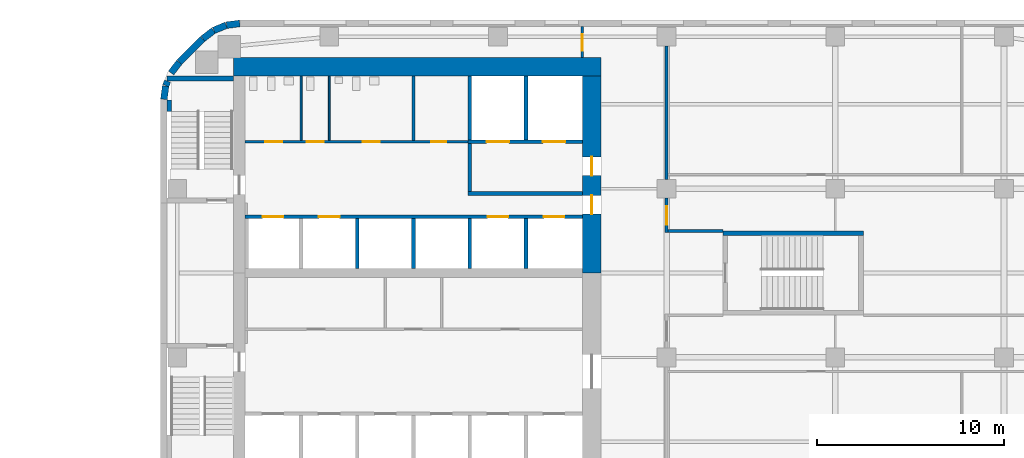
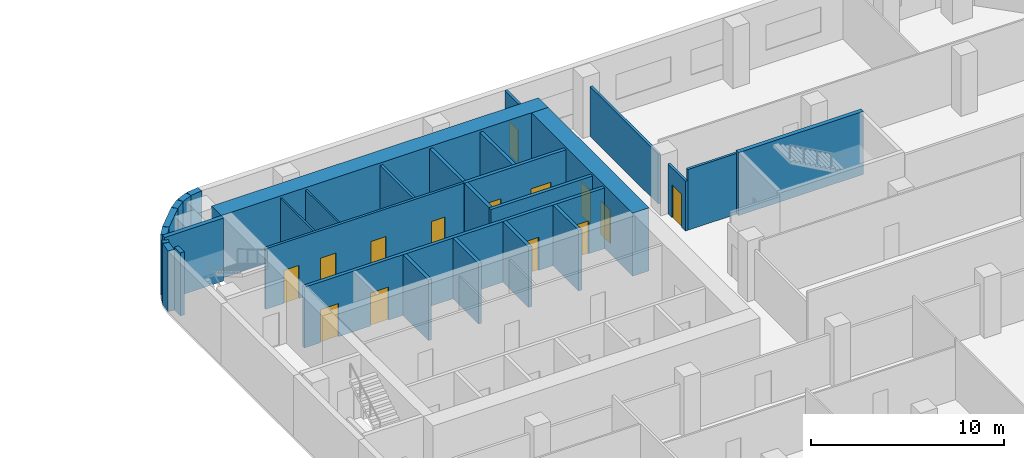
# One storey, part 11 of 16: 30 walls, 14 doors, 14 openings.
"""IFC4 building model written with IfcOpenShell, lengths in metres."""

from ifc_helpers import new_model, si_unit, direction, frame, frame_2d, origin, place, context, subcontext, project, spatial, rectangle, extrude, material, layer, layer_set, type_object, element, fill, save


model = new_model("IFC4")

# Units and contexts
model_context = context("Model", 3, precision=1e-05, world=origin(), true_north=direction((0.0, 1.0)))
body_context = subcontext(model_context, "Body", "Model", "MODEL_VIEW")
ifc_project = project(units=[si_unit("LENGTHUNIT", "METRE"), si_unit("AREAUNIT", "SQUARE_METRE"), si_unit("VOLUMEUNIT", "CUBIC_METRE"), si_unit("PLANEANGLEUNIT", "RADIAN"), si_unit("MASSUNIT", "GRAM", prefix="KILO")], contexts=[model_context])

# Site, building, storey
site_placement = place(None, origin())
site = spatial("IfcSite", under=ifc_project, at=site_placement, CompositionType="ELEMENT")
building_placement = place(site_placement, origin())
building = spatial("IfcBuilding", under=site, at=building_placement, Name="Cinnabar Reach Civic Tower", CompositionType="ELEMENT")
storey_placement = place(building_placement, frame((0.0, 0.0, 30.0)))
storey = spatial("IfcBuildingStorey", under=building, at=storey_placement, Name="L06", CompositionType="ELEMENT", Elevation=30.0)

# Walls
ifc_material_1 = material(Name="Facing brick with insulated backing", Category="masonry")
ifc_layer_1 = layer(ifc_material_1, 0.36)
ifc_layer_set_1 = layer_set([ifc_layer_1], Name="Brick corner wall")
wall_type_1 = type_object("IfcWallType", Name="Brick corner wall", PredefinedType="STANDARD", material=ifc_layer_set_1)
for number, where, z_axis, x_axis, name in (
    (1, (4.2314, 44.817, 0.0), (0.0, 0.0, 1.0), (-0.99144092581, -0.13055608231, 0.0), "Brick corner wall"),
    (2, (3.5027, 44.7181, 0.0), (0.0, 0.0, 1.0), (-0.923871547278, -0.382702709855, 0.0), "Brick corner wall"),
):
    element("IfcWall", number, at=place(storey_placement, frame(where, z_axis=z_axis, x_axis=x_axis)), inside=storey, type_object=wall_type_1, Name=name, PredefinedType="STANDARD", context=body_context, shape_type="SweptSolid", body=[
        extrude(rectangle(XDim=0.7131, YDim=0.36, at=frame_2d((0.3565, 0.0))), origin(), (0.0, 0.0, 1.0), 3.85),
    ])
for number, where, z_axis, x_axis, name in (
    (3, (2.8245, 44.434, 0.0), (0.0, 0.0, 1.0), (-0.793321924995, -0.608802368033, 0.0), "Brick corner wall"),
    (4, (1.0002, 42.7413, 0.0), (0.0, 0.0, 1.0), (-0.608802368033, -0.793321924995, 0.0), "Brick corner wall"),
):
    element("IfcWall", number, at=place(storey_placement, frame(where, z_axis=z_axis, x_axis=x_axis)), inside=storey, type_object=wall_type_1, Name=name, PredefinedType="STANDARD", context=body_context, shape_type="SweptSolid", body=[
        extrude(rectangle(XDim=0.7132, YDim=0.36, at=frame_2d((0.3566, 0.0))), origin(), (0.0, 0.0, 1.0), 3.85),
    ])
wall_1_placement = place(storey_placement, frame((0.3808, 41.736, 0.0), z_axis=(0.0, 0.0, 1.0), x_axis=(-0.382773360986, -0.923842277729, 0.0)))
element("IfcWall", 5, at=wall_1_placement, inside=storey, type_object=wall_type_1, Name="Brick corner wall", PredefinedType="STANDARD", context=body_context, shape_type="SweptSolid", body=[
    extrude(rectangle(XDim=0.2584, YDim=0.36, at=frame_2d((0.1292, 0.0))), origin(), (0.0, 0.0, 1.0), 3.85),
])
wall_2_placement = place(storey_placement, frame((0.2761, 41.4756, 0.0), z_axis=(0.0, 0.0, 1.0), x_axis=(-0.13055608231, -0.99144092581, 0.0)))
element("IfcWall", 6, at=wall_2_placement, inside=storey, type_object=wall_type_1, Name="Brick corner wall", PredefinedType="STANDARD", context=body_context, shape_type="SweptSolid", body=[
    extrude(rectangle(XDim=0.7131, YDim=0.36, at=frame_2d((0.3565, 0.0))), origin(), (0.0, 0.0, 1.0), 3.85),
])
ifc_layer_2 = layer(ifc_material_1, 0.36)
ifc_layer_set_2 = layer_set([ifc_layer_2], Name="Brick pier and spandrel wall")
wall_type_2 = type_object("IfcWallType", Name="Brick pier and spandrel wall", PredefinedType="STANDARD", material=ifc_layer_set_2)
wall_3_placement = place(storey_placement, frame((2.2486, 43.994, 0.0), z_axis=(0.0, 0.0, 1.0), x_axis=(-0.707106781187, -0.707106781187, 0.0)))
element("IfcWall", 7, at=wall_3_placement, inside=storey, type_object=wall_type_2, Name="Brick facade wall", PredefinedType="STANDARD", context=body_context, shape_type="SweptSolid", body=[
    extrude(rectangle(XDim=1.7573, YDim=0.36, at=frame_2d((0.8787, 0.0))), origin(), (0.0, 0.0, 1.0), 3.85),
])
ifc_material_2 = material(Name="Concrete C70", Category="concrete")
ifc_layer_3 = layer(ifc_material_2, 1.0)
ifc_layer_set_3 = layer_set([ifc_layer_3], Name="Core wall 1000 EI 180")
wall_type_3 = type_object("IfcWallType", Name="Core wall 1000 EI 180", PredefinedType="SOLIDWALL", material=ifc_layer_set_3)
wall_4_placement = place(storey_placement, frame((23.5, 42.5, 0.0), z_axis=(0.0, 0.0, 1.0), x_axis=(-1.0, 0.0, 0.0)))
element("IfcWall", 8, at=wall_4_placement, inside=storey, type_object=wall_type_3, Name="Core wall T1 L06 N", PredefinedType="SOLIDWALL", context=body_context, shape_type="SweptSolid", body=[
    extrude(rectangle(XDim=19.6, YDim=1.0, at=frame_2d((9.8, 0.0))), origin(), (0.0, 0.0, 1.0), 4.0),
])

# Wall, openings, doors
wall_5_placement = place(storey_placement, frame((23.0, 31.5, 0.0), z_axis=(0.0, 0.0, 1.0), x_axis=(0.0, 1.0, 0.0)))
wall_5 = element("IfcWall", 9, at=wall_5_placement, inside=storey, type_object=wall_type_3, Name="Core wall T1 L06 E2", PredefinedType="SOLIDWALL", context=body_context, shape_type="SweptSolid", body=[
    extrude(rectangle(XDim=10.5, YDim=1.0, at=frame_2d((5.25, 0.0))), origin(), (0.0, 0.0, 1.0), 4.0),
])
opening_1_placement = place(wall_5_placement, frame((3.15, 0.0, 0.0)))
opening_1 = element("IfcOpeningElement", 10, at=opening_1_placement, cuts=wall_5, Name="Opening D3248", PredefinedType="OPENING", context=body_context, shape_type="SweptSolid", body=[
    extrude(rectangle(XDim=1.0, YDim=2.1, at=frame_2d((0.5, 1.05))), frame((0.0, 0.51, 0.0), z_axis=(0.0, -1.0, 0.0), x_axis=(1.0, 0.0, 0.0)), (0.0, 0.0, 1.0), 1.02),
])
opening_2_placement = place(wall_5_placement, frame((5.2, 0.0, 0.0)))
opening_2 = element("IfcOpeningElement", 11, at=opening_2_placement, cuts=wall_5, Name="Opening D3249", PredefinedType="OPENING", context=body_context, shape_type="SweptSolid", body=[
    extrude(rectangle(XDim=1.0, YDim=2.1, at=frame_2d((0.5, 1.05))), frame((0.0, 0.51, 0.0), z_axis=(0.0, -1.0, 0.0), x_axis=(1.0, 0.0, 0.0)), (0.0, 0.0, 1.0), 1.02),
])
ifc_material_3 = material(Name="Timber door leaf in steel frame", Category="steel")
door_type_1 = type_object("IfcDoorType", Name="Firefighting lobby door 1000 x 2100 T1", OperationType="SINGLE_SWING_LEFT", PredefinedType="DOOR", material=ifc_material_3)
door_1_placement = place(opening_2_placement, origin())
door_1 = element("IfcDoor", 12, at=door_1_placement, inside=storey, type_object=door_type_1, Name="Door D3249", OperationType="SINGLE_SWING_LEFT", OverallHeight=2.1, OverallWidth=1.0, PredefinedType="DOOR", context=body_context, shape_type="SweptSolid", body=[
    extrude(rectangle(XDim=1.0, YDim=2.1, at=frame_2d((0.5, 1.05))), frame((0.0, 0.025, 0.0), z_axis=(0.0, -1.0, 0.0), x_axis=(1.0, 0.0, 0.0)), (0.0, 0.0, 1.0), 0.05),
])
fill(opening_2, door_1)
door_type_2 = type_object("IfcDoorType", Name="Single swing door 1000 x 2100 T1", OperationType="SINGLE_SWING_LEFT", PredefinedType="DOOR", material=ifc_material_3)
door_2_placement = place(opening_1_placement, origin())
door_2 = element("IfcDoor", 13, at=door_2_placement, inside=storey, type_object=door_type_2, Name="Door D3248", OperationType="SINGLE_SWING_RIGHT", OverallHeight=2.1, OverallWidth=1.0, PredefinedType="DOOR", context=body_context, shape_type="SweptSolid", body=[
    extrude(rectangle(XDim=1.0, YDim=2.1, at=frame_2d((0.5, 1.05))), frame((0.0, 0.025, 0.0), z_axis=(0.0, -1.0, 0.0), x_axis=(1.0, 0.0, 0.0)), (0.0, 0.0, 1.0), 0.05),
])
fill(opening_1, door_2)

ifc_material_4 = material(Name="Gypsum board on steel studs, double layer", Category="steel")
ifc_layer_4 = layer(ifc_material_4, 0.15)
ifc_layer_set_4 = layer_set([ifc_layer_4], Name="Corridor wall 150 T1")
wall_type_4 = type_object("IfcWallType", Name="Corridor wall 150 T1", PredefinedType="PARTITIONING", material=ifc_layer_set_4)
wall_6_placement = place(storey_placement, frame((4.5, 38.5, 0.0), z_axis=(0.0, 0.0, 1.0), x_axis=(1.0, 0.0, 0.0)))
wall_6 = element("IfcWall", 14, at=wall_6_placement, inside=storey, type_object=wall_type_4, Name="Corridor wall 28", PredefinedType="PARTITIONING", context=body_context, shape_type="SweptSolid", body=[
    extrude(rectangle(XDim=11.9, YDim=0.15, at=frame_2d((5.95, 0.0))), origin(), (0.0, 0.0, 1.0), 3.85),
])
opening_3_placement = place(wall_6_placement, frame((1.1, 0.0, 0.0)))
opening_3 = element("IfcOpeningElement", 15, at=opening_3_placement, cuts=wall_6, Name="Opening D3254", PredefinedType="OPENING", context=body_context, shape_type="SweptSolid", body=[
    extrude(rectangle(XDim=0.9, YDim=2.1, at=frame_2d((0.45, 1.05))), frame((0.0, 0.085, 0.0), z_axis=(0.0, -1.0, 0.0), x_axis=(1.0, 0.0, 0.0)), (0.0, 0.0, 1.0), 0.17),
])
opening_4_placement = place(wall_6_placement, frame((3.3, 0.0, 0.0)))
opening_4 = element("IfcOpeningElement", 16, at=opening_4_placement, cuts=wall_6, Name="Opening D3255", PredefinedType="OPENING", context=body_context, shape_type="SweptSolid", body=[
    extrude(rectangle(XDim=0.9, YDim=2.1, at=frame_2d((0.45, 1.05))), frame((0.0, 0.085, 0.0), z_axis=(0.0, -1.0, 0.0), x_axis=(1.0, 0.0, 0.0)), (0.0, 0.0, 1.0), 0.17),
])
opening_5_placement = place(wall_6_placement, frame((6.3, 0.0, 0.0)))
opening_5 = element("IfcOpeningElement", 17, at=opening_5_placement, cuts=wall_6, Name="Opening D3256", PredefinedType="OPENING", context=body_context, shape_type="SweptSolid", body=[
    extrude(rectangle(XDim=0.9, YDim=2.1, at=frame_2d((0.45, 1.05))), frame((0.0, 0.085, 0.0), z_axis=(0.0, -1.0, 0.0), x_axis=(1.0, 0.0, 0.0)), (0.0, 0.0, 1.0), 0.17),
])
opening_6_placement = place(wall_6_placement, frame((9.95, 0.0, 0.0)))
opening_6 = element("IfcOpeningElement", 18, at=opening_6_placement, cuts=wall_6, Name="Opening D3257", PredefinedType="OPENING", context=body_context, shape_type="SweptSolid", body=[
    extrude(rectangle(XDim=0.8, YDim=2.1, at=frame_2d((0.4, 1.05))), frame((0.0, 0.085, 0.0), z_axis=(0.0, -1.0, 0.0), x_axis=(1.0, 0.0, 0.0)), (0.0, 0.0, 1.0), 0.17),
])
door_type_3 = type_object("IfcDoorType", Name="Riser access door 800 x 2100 T1", OperationType="SINGLE_SWING_LEFT", PredefinedType="DOOR", material=ifc_material_3)
door_3_placement = place(opening_6_placement, origin())
door_3 = element("IfcDoor", 19, at=door_3_placement, inside=storey, type_object=door_type_3, Name="Door D3257", OperationType="SINGLE_SWING_LEFT", OverallHeight=2.1, OverallWidth=0.8, PredefinedType="DOOR", context=body_context, shape_type="SweptSolid", body=[
    extrude(rectangle(XDim=0.8, YDim=2.1, at=frame_2d((0.4, 1.05))), frame((0.0, 0.025, 0.0), z_axis=(0.0, -1.0, 0.0), x_axis=(1.0, 0.0, 0.0)), (0.0, 0.0, 1.0), 0.05),
])
fill(opening_6, door_3)
door_type_4 = type_object("IfcDoorType", Name="Single swing door 900 x 2100 corridor T1", OperationType="SINGLE_SWING_LEFT", PredefinedType="DOOR", material=ifc_material_3)
door_4_placement = place(opening_3_placement, origin())
door_4 = element("IfcDoor", 20, at=door_4_placement, inside=storey, type_object=door_type_4, Name="Door D3254", OperationType="SINGLE_SWING_RIGHT", OverallHeight=2.1, OverallWidth=0.9, PredefinedType="DOOR", context=body_context, shape_type="SweptSolid", body=[
    extrude(rectangle(XDim=0.9, YDim=2.1, at=frame_2d((0.45, 1.05))), frame((0.0, 0.025, 0.0), z_axis=(0.0, -1.0, 0.0), x_axis=(1.0, 0.0, 0.0)), (0.0, 0.0, 1.0), 0.05),
])
fill(opening_3, door_4)
door_5_placement = place(opening_4_placement, origin())
door_5 = element("IfcDoor", 21, at=door_5_placement, inside=storey, type_object=door_type_4, Name="Door D3255", OperationType="SINGLE_SWING_LEFT", OverallHeight=2.1, OverallWidth=0.9, PredefinedType="DOOR", context=body_context, shape_type="SweptSolid", body=[
    extrude(rectangle(XDim=0.9, YDim=2.1, at=frame_2d((0.45, 1.05))), frame((0.0, 0.025, 0.0), z_axis=(0.0, -1.0, 0.0), x_axis=(1.0, 0.0, 0.0)), (0.0, 0.0, 1.0), 0.05),
])
fill(opening_4, door_5)
door_6_placement = place(opening_5_placement, origin())
door_6 = element("IfcDoor", 22, at=door_6_placement, inside=storey, type_object=door_type_4, Name="Door D3256", OperationType="SINGLE_SWING_LEFT", OverallHeight=2.1, OverallWidth=0.9, PredefinedType="DOOR", context=body_context, shape_type="SweptSolid", body=[
    extrude(rectangle(XDim=0.9, YDim=2.1, at=frame_2d((0.45, 1.05))), frame((0.0, 0.025, 0.0), z_axis=(0.0, -1.0, 0.0), x_axis=(1.0, 0.0, 0.0)), (0.0, 0.0, 1.0), 0.05),
])
fill(opening_5, door_6)

# Wall, opening, door
wall_7_placement = place(storey_placement, frame((27.0, 33.675, 0.0), z_axis=(0.0, 0.0, 1.0), x_axis=(0.0, 1.0, 0.0)))
wall_7 = element("IfcWall", 23, at=wall_7_placement, inside=storey, type_object=wall_type_4, Name="Corridor wall 29", PredefinedType="PARTITIONING", context=body_context, shape_type="SweptSolid", body=[
    extrude(rectangle(XDim=1.825, YDim=0.15, at=frame_2d((0.9125, 0.0))), origin(), (0.0, 0.0, 1.0), 3.158),
])
opening_7_placement = place(wall_7_placement, frame((0.4, 0.0, 0.0)))
opening_7 = element("IfcOpeningElement", 24, at=opening_7_placement, cuts=wall_7, Name="Opening D3258", PredefinedType="OPENING", context=body_context, shape_type="SweptSolid", body=[
    extrude(rectangle(XDim=1.0, YDim=2.1, at=frame_2d((0.5, 1.05))), frame((0.0, 0.085, 0.0), z_axis=(0.0, -1.0, 0.0), x_axis=(1.0, 0.0, 0.0)), (0.0, 0.0, 1.0), 0.17),
])
door_type_5 = type_object("IfcDoorType", Name="Tenancy entrance door 1000 x 2100 T1", OperationType="SINGLE_SWING_LEFT", PredefinedType="DOOR", material=ifc_material_3)
door_7_placement = place(opening_7_placement, frame((1.0, 0.0, 0.0), z_axis=(0.0, 0.0, 1.0), x_axis=(-1.0, 0.0, 0.0)))
door_7 = element("IfcDoor", 25, at=door_7_placement, inside=storey, type_object=door_type_5, Name="Door D3258", OperationType="SINGLE_SWING_RIGHT", OverallHeight=2.1, OverallWidth=1.0, PredefinedType="DOOR", context=body_context, shape_type="SweptSolid", body=[
    extrude(rectangle(XDim=1.0, YDim=2.1, at=frame_2d((0.5, 1.05))), frame((0.0, 0.025, 0.0), z_axis=(0.0, -1.0, 0.0), x_axis=(1.0, 0.0, 0.0)), (0.0, 0.0, 1.0), 0.05),
])
fill(opening_7, door_7)

# Walls
wall_8_placement = place(storey_placement, frame((27.0, 36.5, 0.0), z_axis=(0.0, 0.0, 1.0), x_axis=(0.0, 1.0, 0.0)))
element("IfcWall", 26, at=wall_8_placement, inside=storey, type_object=wall_type_4, Name="Corridor wall 30", PredefinedType="PARTITIONING", context=body_context, shape_type="SweptSolid", body=[
    extrude(rectangle(XDim=7.1, YDim=0.15, at=frame_2d((3.55, 0.0))), origin(), (0.0, 0.0, 1.0), 3.158),
])
wall_9_placement = place(storey_placement, frame((27.075, 33.75, 0.0), z_axis=(0.0, 0.0, 1.0), x_axis=(1.0, 0.0, 0.0)))
element("IfcWall", 27, at=wall_9_placement, inside=storey, type_object=wall_type_4, Name="Corridor wall 36", PredefinedType="PARTITIONING", context=body_context, shape_type="SweptSolid", body=[
    extrude(rectangle(XDim=2.925, YDim=0.15, at=frame_2d((1.4625, 0.0))), origin(), (0.0, 0.0, 1.0), 3.85),
])

# Wall, opening, door
wall_10_placement = place(storey_placement, frame((22.5, 43.0, 0.0), z_axis=(0.0, 0.0, 1.0), x_axis=(0.0, 1.0, 0.0)))
wall_10 = element("IfcWall", 28, at=wall_10_placement, inside=storey, type_object=wall_type_4, Name="Corridor wall 37", PredefinedType="PARTITIONING", context=body_context, shape_type="SweptSolid", body=[
    extrude(rectangle(XDim=1.64, YDim=0.15, at=frame_2d((0.82, 0.0))), origin(), (0.0, 0.0, 1.0), 3.85),
])
opening_8_placement = place(wall_10_placement, frame((0.35, 0.0, 0.0)))
opening_8 = element("IfcOpeningElement", 29, at=opening_8_placement, cuts=wall_10, Name="Opening D5771", PredefinedType="OPENING", context=body_context, shape_type="SweptSolid", body=[
    extrude(rectangle(XDim=0.9, YDim=2.1, at=frame_2d((0.45, 1.05))), frame((0.0, 0.085, 0.0), z_axis=(0.0, -1.0, 0.0), x_axis=(1.0, 0.0, 0.0)), (0.0, 0.0, 1.0), 0.17),
])
door_8_placement = place(opening_8_placement, origin())
door_8 = element("IfcDoor", 30, at=door_8_placement, inside=storey, type_object=door_type_4, Name="Door D5771", OperationType="SINGLE_SWING_LEFT", OverallHeight=2.1, OverallWidth=0.9, PredefinedType="DOOR", context=body_context, shape_type="SweptSolid", body=[
    extrude(rectangle(XDim=0.9, YDim=2.1, at=frame_2d((0.45, 1.05))), frame((0.0, 0.025, 0.0), z_axis=(0.0, -1.0, 0.0), x_axis=(1.0, 0.0, 0.0)), (0.0, 0.0, 1.0), 0.05),
])
fill(opening_8, door_8)

# Wall, openings, doors
ifc_material_5 = material(Name="Blockwork", Category="masonry")
ifc_layer_5 = layer(ifc_material_5, 0.2)
ifc_layer_set_5 = layer_set([ifc_layer_5], Name="Lift shaft wall 200 T1")
wall_type_5 = type_object("IfcWallType", Name="Lift shaft wall 200 T1", PredefinedType="PARTITIONING", material=ifc_layer_set_5)
wall_11_placement = place(storey_placement, frame((4.5, 34.5, 0.0), z_axis=(0.0, 0.0, 1.0), x_axis=(1.0, 0.0, 0.0)))
wall_11 = element("IfcWall", 31, at=wall_11_placement, inside=storey, type_object=wall_type_5, Name="Lift shaft wall 5", PredefinedType="PARTITIONING", context=body_context, shape_type="SweptSolid", body=[
    extrude(rectangle(XDim=18.0, YDim=0.2, at=frame_2d((9.0, 0.0))), origin(), (0.0, 0.0, 1.0), 3.85),
])
opening_9_placement = place(wall_11_placement, frame((0.95, 0.0, 0.0)))
opening_9 = element("IfcOpeningElement", 32, at=opening_9_placement, cuts=wall_11, Name="Opening D3241", PredefinedType="OPENING", context=body_context, shape_type="SweptSolid", body=[
    extrude(rectangle(XDim=1.1, YDim=2.1, at=frame_2d((0.55, 1.05))), frame((0.0, 0.11, 0.0), z_axis=(0.0, -1.0, 0.0), x_axis=(1.0, 0.0, 0.0)), (0.0, 0.0, 1.0), 0.22),
])
opening_10_placement = place(wall_11_placement, frame((3.95, 0.0, 0.0)))
opening_10 = element("IfcOpeningElement", 33, at=opening_10_placement, cuts=wall_11, Name="Opening D3242", PredefinedType="OPENING", context=body_context, shape_type="SweptSolid", body=[
    extrude(rectangle(XDim=1.1, YDim=2.1, at=frame_2d((0.55, 1.05))), frame((0.0, 0.11, 0.0), z_axis=(0.0, -1.0, 0.0), x_axis=(1.0, 0.0, 0.0)), (0.0, 0.0, 1.0), 0.22),
])
opening_11_placement = place(wall_11_placement, frame((12.95, 0.0, 0.0)))
opening_11 = element("IfcOpeningElement", 34, at=opening_11_placement, cuts=wall_11, Name="Opening D3243", PredefinedType="OPENING", context=body_context, shape_type="SweptSolid", body=[
    extrude(rectangle(XDim=1.1, YDim=2.1, at=frame_2d((0.55, 1.05))), frame((0.0, 0.11, 0.0), z_axis=(0.0, -1.0, 0.0), x_axis=(1.0, 0.0, 0.0)), (0.0, 0.0, 1.0), 0.22),
])
opening_12_placement = place(wall_11_placement, frame((15.95, 0.0, 0.0)))
opening_12 = element("IfcOpeningElement", 35, at=opening_12_placement, cuts=wall_11, Name="Opening D3244", PredefinedType="OPENING", context=body_context, shape_type="SweptSolid", body=[
    extrude(rectangle(XDim=1.1, YDim=2.1, at=frame_2d((0.55, 1.05))), frame((0.0, 0.11, 0.0), z_axis=(0.0, -1.0, 0.0), x_axis=(1.0, 0.0, 0.0)), (0.0, 0.0, 1.0), 0.22),
])
ifc_material_6 = material(Name="Stainless steel sliding door", Category="steel")
door_type_6 = type_object("IfcDoorType", Name="Lift landing door 1100 x 2100 T1", OperationType="SLIDING_TO_LEFT", PredefinedType="DOOR", material=ifc_material_6)
door_9_placement = place(opening_9_placement, origin())
door_9 = element("IfcDoor", 36, at=door_9_placement, inside=storey, type_object=door_type_6, Name="Lift landing door SH1 L06", OperationType="SLIDING_TO_LEFT", OverallHeight=2.1, OverallWidth=1.1, PredefinedType="DOOR", context=body_context, shape_type="SweptSolid", body=[
    extrude(rectangle(XDim=1.1, YDim=2.1, at=frame_2d((0.55, 1.05))), frame((0.0, 0.025, 0.0), z_axis=(0.0, -1.0, 0.0), x_axis=(1.0, 0.0, 0.0)), (0.0, 0.0, 1.0), 0.05),
])
fill(opening_9, door_9)
door_10_placement = place(opening_10_placement, origin())
door_10 = element("IfcDoor", 37, at=door_10_placement, inside=storey, type_object=door_type_6, Name="Lift landing door SH2 L06", OperationType="SLIDING_TO_LEFT", OverallHeight=2.1, OverallWidth=1.1, PredefinedType="DOOR", context=body_context, shape_type="SweptSolid", body=[
    extrude(rectangle(XDim=1.1, YDim=2.1, at=frame_2d((0.55, 1.05))), frame((0.0, 0.025, 0.0), z_axis=(0.0, -1.0, 0.0), x_axis=(1.0, 0.0, 0.0)), (0.0, 0.0, 1.0), 0.05),
])
fill(opening_10, door_10)
door_11_placement = place(opening_11_placement, origin())
door_11 = element("IfcDoor", 38, at=door_11_placement, inside=storey, type_object=door_type_6, Name="Lift landing door SV1 L06", OperationType="SLIDING_TO_LEFT", OverallHeight=2.1, OverallWidth=1.1, PredefinedType="DOOR", context=body_context, shape_type="SweptSolid", body=[
    extrude(rectangle(XDim=1.1, YDim=2.1, at=frame_2d((0.55, 1.05))), frame((0.0, 0.025, 0.0), z_axis=(0.0, -1.0, 0.0), x_axis=(1.0, 0.0, 0.0)), (0.0, 0.0, 1.0), 0.05),
])
fill(opening_11, door_11)
door_12_placement = place(opening_12_placement, origin())
door_12 = element("IfcDoor", 39, at=door_12_placement, inside=storey, type_object=door_type_6, Name="Lift landing door SV2 L06", OperationType="SLIDING_TO_LEFT", OverallHeight=2.1, OverallWidth=1.1, PredefinedType="DOOR", context=body_context, shape_type="SweptSolid", body=[
    extrude(rectangle(XDim=1.1, YDim=2.1, at=frame_2d((0.55, 1.05))), frame((0.0, 0.025, 0.0), z_axis=(0.0, -1.0, 0.0), x_axis=(1.0, 0.0, 0.0)), (0.0, 0.0, 1.0), 0.05),
])
fill(opening_12, door_12)

# Walls
for number, where, z_axis, x_axis, name in (
    (40, (16.5, 38.6, 0.0), (0.0, 0.0, 1.0), (0.0, 1.0, 0.0), "Lift shaft wall 6"),
    (41, (19.5, 38.6, 0.0), (0.0, 0.0, 1.0), (0.0, 1.0, 0.0), "Lift shaft wall 7"),
):
    element("IfcWall", number, at=place(storey_placement, frame(where, z_axis=z_axis, x_axis=x_axis)), inside=storey, type_object=wall_type_5, Name=name, PredefinedType="PARTITIONING", context=body_context, shape_type="SweptSolid", body=[
        extrude(rectangle(XDim=3.4, YDim=0.2, at=frame_2d((1.7, 0.0))), origin(), (0.0, 0.0, 1.0), 3.85),
    ])
for number, where, z_axis, x_axis, name in (
    (42, (10.5, 31.75, 0.0), (0.0, 0.0, 1.0), (0.0, 1.0, 0.0), "Lift shaft wall 12"),
    (43, (13.5, 31.75, 0.0), (0.0, 0.0, 1.0), (0.0, 1.0, 0.0), "Lift shaft wall 14"),
    (44, (16.5, 31.75, 0.0), (0.0, 0.0, 1.0), (0.0, 1.0, 0.0), "Lift shaft wall 16"),
    (45, (19.5, 31.75, 0.0), (0.0, 0.0, 1.0), (0.0, 1.0, 0.0), "Lift shaft wall 18"),
):
    element("IfcWall", number, at=place(storey_placement, frame(where, z_axis=z_axis, x_axis=x_axis)), inside=storey, type_object=wall_type_5, Name=name, PredefinedType="PARTITIONING", context=body_context, shape_type="SweptSolid", body=[
        extrude(rectangle(XDim=2.65, YDim=0.2, at=frame_2d((1.325, 0.0))), origin(), (0.0, 0.0, 1.0), 3.85),
    ])
ifc_material_7 = material(Name="Gypsum board on steel studs", Category="steel")
ifc_layer_6 = layer(ifc_material_7, 0.1)
ifc_layer_set_6 = layer_set([ifc_layer_6], Name="Partition wall 100 T1")
wall_type_6 = type_object("IfcWallType", Name="Partition wall 100 T1", PredefinedType="PARTITIONING", material=ifc_layer_set_6)
for number, where, z_axis, x_axis, name in (
    (46, (7.5, 38.575, 0.0), (0.0, 0.0, 1.0), (0.0, 1.0, 0.0), "Partition wall 55"),
    (47, (9.0, 38.575, 0.0), (0.0, 0.0, 1.0), (0.0, 1.0, 0.0), "Partition wall 56"),
):
    element("IfcWall", number, at=place(storey_placement, frame(where, z_axis=z_axis, x_axis=x_axis)), inside=storey, type_object=wall_type_6, Name=name, PredefinedType="PARTITIONING", context=body_context, shape_type="SweptSolid", body=[
        extrude(rectangle(XDim=3.425, YDim=0.1, at=frame_2d((1.7125, 0.0))), origin(), (0.0, 0.0, 1.0), 3.85),
    ])
ifc_material_8 = material(Name="Concrete C40", Category="concrete")
ifc_layer_7 = layer(ifc_material_8, 0.2)
ifc_layer_set_7 = layer_set([ifc_layer_7], Name="Refuge compartment wall 200 T1")
wall_type_7 = type_object("IfcWallType", Name="Refuge compartment wall 200 T1", PredefinedType="PARTITIONING", material=ifc_layer_set_7)
wall_12_placement = place(storey_placement, frame((16.4, 35.75, 0.0), z_axis=(0.0, 0.0, 1.0), x_axis=(1.0, 0.0, 0.0)))
element("IfcWall", 48, at=wall_12_placement, inside=storey, type_object=wall_type_7, Name="Refuge compartment wall 1", PredefinedType="PARTITIONING", context=body_context, shape_type="SweptSolid", body=[
    extrude(rectangle(XDim=6.1, YDim=0.2, at=frame_2d((3.05, 0.0))), origin(), (0.0, 0.0, 1.0), 3.85),
])

# Wall, openings, doors
wall_13_placement = place(storey_placement, frame((16.4, 38.5, 0.0), z_axis=(0.0, 0.0, 1.0), x_axis=(1.0, 0.0, 0.0)))
wall_13 = element("IfcWall", 49, at=wall_13_placement, inside=storey, type_object=wall_type_7, Name="Refuge compartment wall 2", PredefinedType="PARTITIONING", context=body_context, shape_type="SweptSolid", body=[
    extrude(rectangle(XDim=6.1, YDim=0.2, at=frame_2d((3.05, 0.0))), origin(), (0.0, 0.0, 1.0), 3.85),
])
opening_13_placement = place(wall_13_placement, frame((1.0, 0.0, 0.0)))
opening_13 = element("IfcOpeningElement", 50, at=opening_13_placement, cuts=wall_13, Name="Opening D3245", PredefinedType="OPENING", context=body_context, shape_type="SweptSolid", body=[
    extrude(rectangle(XDim=1.2, YDim=2.1, at=frame_2d((0.6, 1.05))), frame((0.0, 0.11, 0.0), z_axis=(0.0, -1.0, 0.0), x_axis=(1.0, 0.0, 0.0)), (0.0, 0.0, 1.0), 0.22),
])
opening_14_placement = place(wall_13_placement, frame((4.0, 0.0, 0.0)))
opening_14 = element("IfcOpeningElement", 51, at=opening_14_placement, cuts=wall_13, Name="Opening D3246", PredefinedType="OPENING", context=body_context, shape_type="SweptSolid", body=[
    extrude(rectangle(XDim=1.2, YDim=2.1, at=frame_2d((0.6, 1.05))), frame((0.0, 0.11, 0.0), z_axis=(0.0, -1.0, 0.0), x_axis=(1.0, 0.0, 0.0)), (0.0, 0.0, 1.0), 0.22),
])
door_type_7 = type_object("IfcDoorType", Name="Firefighting lift landing door 1200 x 2100 T1", OperationType="SLIDING_TO_LEFT", PredefinedType="DOOR", material=ifc_material_6)
door_13_placement = place(opening_13_placement, origin())
door_13 = element("IfcDoor", 52, at=door_13_placement, inside=storey, type_object=door_type_7, Name="Lift landing door FF1 L06", OperationType="SLIDING_TO_LEFT", OverallHeight=2.1, OverallWidth=1.2, PredefinedType="DOOR", context=body_context, shape_type="SweptSolid", body=[
    extrude(rectangle(XDim=1.2, YDim=2.1, at=frame_2d((0.6, 1.05))), frame((0.0, 0.025, 0.0), z_axis=(0.0, -1.0, 0.0), x_axis=(1.0, 0.0, 0.0)), (0.0, 0.0, 1.0), 0.05),
])
fill(opening_13, door_13)
door_14_placement = place(opening_14_placement, origin())
door_14 = element("IfcDoor", 53, at=door_14_placement, inside=storey, type_object=door_type_7, Name="Lift landing door FF2 L06", OperationType="SLIDING_TO_LEFT", OverallHeight=2.1, OverallWidth=1.2, PredefinedType="DOOR", context=body_context, shape_type="SweptSolid", body=[
    extrude(rectangle(XDim=1.2, YDim=2.1, at=frame_2d((0.6, 1.05))), frame((0.0, 0.025, 0.0), z_axis=(0.0, -1.0, 0.0), x_axis=(1.0, 0.0, 0.0)), (0.0, 0.0, 1.0), 0.05),
])
fill(opening_14, door_14)

# Walls
wall_14_placement = place(storey_placement, frame((16.5, 35.85, 0.0), z_axis=(0.0, 0.0, 1.0), x_axis=(0.0, 1.0, 0.0)))
element("IfcWall", 54, at=wall_14_placement, inside=storey, type_object=wall_type_7, Name="Refuge compartment wall 3", PredefinedType="PARTITIONING", context=body_context, shape_type="SweptSolid", body=[
    extrude(rectangle(XDim=2.55, YDim=0.2, at=frame_2d((1.275, 0.0))), origin(), (0.0, 0.0, 1.0), 3.85),
])
ifc_layer_8 = layer(ifc_material_5, 0.15)
ifc_layer_set_8 = layer_set([ifc_layer_8], Name="Riser wall 150 T1")
wall_type_8 = type_object("IfcWallType", Name="Riser wall 150 T1", PredefinedType="PARTITIONING", material=ifc_layer_set_8)
wall_15_placement = place(storey_placement, frame((13.5, 38.575, 0.0), z_axis=(0.0, 0.0, 1.0), x_axis=(0.0, 1.0, 0.0)))
element("IfcWall", 55, at=wall_15_placement, inside=storey, type_object=wall_type_8, Name="Riser wall 39", PredefinedType="PARTITIONING", context=body_context, shape_type="SweptSolid", body=[
    extrude(rectangle(XDim=3.425, YDim=0.15, at=frame_2d((1.7125, 0.0))), origin(), (0.0, 0.0, 1.0), 3.85),
])
ifc_material_9 = material(Name="Concrete C60", Category="concrete")
ifc_layer_9 = layer(ifc_material_9, 0.25)
ifc_layer_set_9 = layer_set([ifc_layer_9], Name="Stair shaft wall 250 EI 120")
wall_type_9 = type_object("IfcWallType", Name="Stair shaft wall 250 EI 120", PredefinedType="SOLIDWALL", material=ifc_layer_set_9)
wall_16_placement = place(storey_placement, frame((3.9, 41.875, 0.0), z_axis=(0.0, 0.0, 1.0), x_axis=(-1.0, 0.0, 0.0)))
element("IfcWall", 56, at=wall_16_placement, inside=storey, type_object=wall_type_9, Name="Stair shaft wall T1-S2 L06", PredefinedType="SOLIDWALL", context=body_context, shape_type="SweptSolid", body=[
    extrude(rectangle(XDim=3.54, YDim=0.25, at=frame_2d((1.77, 0.0))), origin(), (0.0, 0.0, 1.0), 4.0),
])
wall_17_placement = place(storey_placement, frame((37.5, 33.625, 0.0), z_axis=(0.0, 0.0, 1.0), x_axis=(-1.0, 0.0, 0.0)))
element("IfcWall", 57, at=wall_17_placement, inside=storey, type_object=wall_type_9, Name="Stair shaft wall T1-S3 L06", PredefinedType="SOLIDWALL", context=body_context, shape_type="SweptSolid", body=[
    extrude(rectangle(XDim=7.5, YDim=0.25, at=frame_2d((3.75, 0.0))), origin(), (0.0, 0.0, 1.0), 4.0),
])
ifc_material_10 = material(Name="Concrete C40/50", Category="concrete")
ifc_layer_10 = layer(ifc_material_10, 0.24)
ifc_layer_set_10 = layer_set([ifc_layer_10], Name="T1 landing bearer wall 240")
wall_type_10 = type_object("IfcWallType", Name="T1 landing bearer wall 240", PredefinedType="STANDARD", material=ifc_layer_set_10)
wall_18_placement = place(storey_placement, frame((0.48, 40.13, 0.0), z_axis=(0.0, 0.0, 1.0), x_axis=(0.0, 1.0, 0.0)))
element("IfcWall", 58, at=wall_18_placement, inside=storey, type_object=wall_type_10, Name="T1-S2 landing bearer wall", PredefinedType="STANDARD", context=body_context, shape_type="SweptSolid", body=[
    extrude(rectangle(XDim=0.6151, YDim=0.24, at=frame_2d((0.3075, 0.0))), origin(), (0.0, 0.0, 1.0), 4.0),
])

save(model, "model.ifc")
